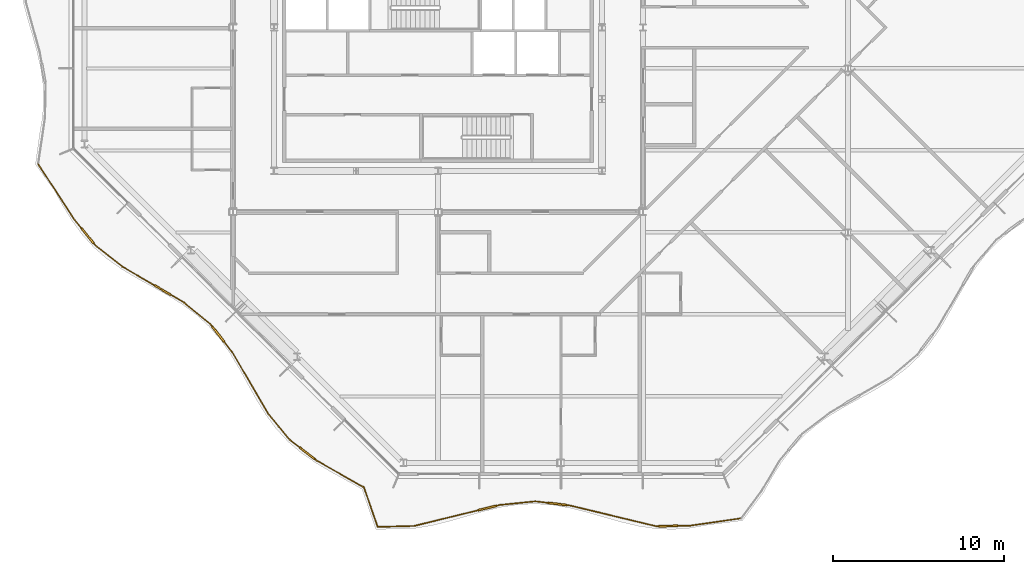
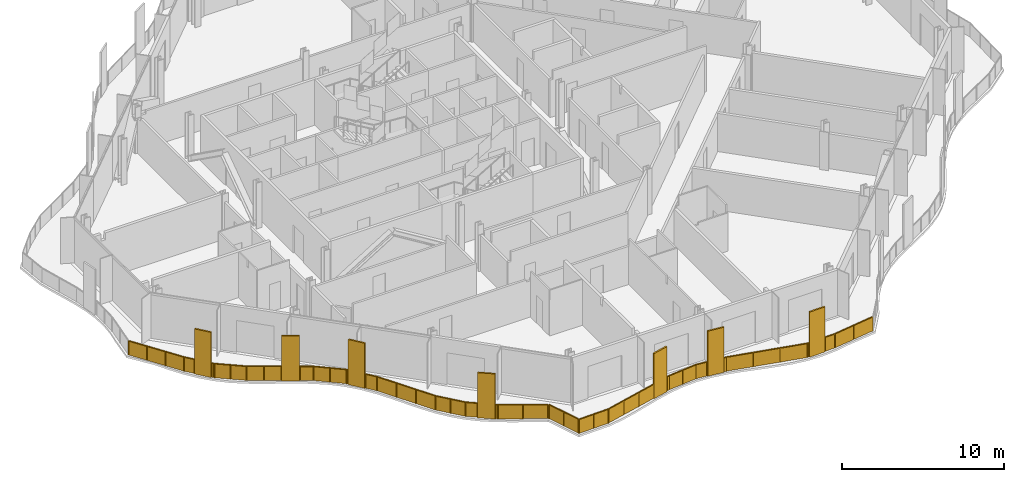
# One storey, part 13 of 17: 3 railings.
"""IFC4 building model written with IfcOpenShell, lengths in metres."""

from ifc_helpers import new_model, si_unit, direction, frame, origin, origin_2d, place, context, subcontext, project, spatial, polyline, rectangle, outline, extrude, material, type_object, element, save


model = new_model("IFC4")

# Units and contexts
model_context = context("Model", 3, precision=1e-05, world=origin(), true_north=direction((0.0, 1.0)))
body_context = subcontext(model_context, "Body", "Model", "MODEL_VIEW")
ifc_project = project(units=[si_unit("LENGTHUNIT", "METRE"), si_unit("AREAUNIT", "SQUARE_METRE"), si_unit("VOLUMEUNIT", "CUBIC_METRE"), si_unit("PLANEANGLEUNIT", "RADIAN"), si_unit("MASSUNIT", "GRAM", prefix="KILO")], contexts=[model_context])

# Site, building, storey
site_placement = place(None, origin())
site = spatial("IfcSite", under=ifc_project, at=site_placement, CompositionType="ELEMENT")
building_placement = place(site_placement, origin())
building = spatial("IfcBuilding", under=site, at=building_placement, Name="Cairn Pilgrim Tower", CompositionType="ELEMENT")
storey_placement = place(building_placement, frame((0.0, 0.0, 228.60009765625)))
storey = spatial("IfcBuildingStorey", under=building, at=storey_placement, Name="L58", CompositionType="ELEMENT", Elevation=228.60009765625)

# Railings
ifc_material_1 = material(Name="Bronze anodised aluminium rail and posts with laminated glass infill", Category="aluminium")
railing_type_1 = type_object("IfcRailingType", Name="BALCONY GUARD 1100", PredefinedType="GUARDRAIL", material=ifc_material_1)
railing_1_placement = place(storey_placement, frame((2.863037109375, -24.535400390625, 0.0)))
element("IfcRailing", 1, at=railing_1_placement, inside=storey, type_object=railing_type_1, Name="Balcony guard BG-9", PredefinedType="GUARDRAIL", context=body_context, shape_type="SweptSolid", body=[
    extrude(rectangle(XDim=0.050048828125, YDim=0.050048828125, at=origin_2d()), frame((0.0, 0.0, 1.0751953125), z_axis=(0.327071911717, -0.944999452151, 0.0), x_axis=(0.944999452151, 0.327071911717, 0.0)), (0.0, 0.0, 1.0), 2.386474609375),
    extrude(rectangle(XDim=0.050048828125, YDim=0.050048828125, at=origin_2d()), origin(), (0.0, 0.0, 1.0), 1.050048828125),
    extrude(rectangle(XDim=0.050048828125, YDim=0.050048828125, at=origin_2d()), frame((0.39013671875, -1.12744140625, 0.0)), (0.0, 0.0, 1.0), 1.050048828125),
    extrude(rectangle(XDim=0.050048828125, YDim=0.050048828125, at=origin_2d()), frame((0.780517578125, -2.255126953125, 0.0)), (0.0, 0.0, 1.0), 1.050048828125),
    extrude(outline(polyline([(0.02490234375, 0.0), (1.168212890625, 0.0), (1.168212890625, 1.050048828125), (0.02490234375, 1.050048828125), (0.02490234375, 0.0)])), frame((0.005615234375, 0.001953125, 0.0), z_axis=(-0.944999452151, -0.327071911717, 0.0), x_axis=(0.327071911717, -0.944999452151, 0.0)), (0.0, 0.0, 1.0), 0.011962890625),
    extrude(outline(polyline([(0.02490234375, 0.0), (1.168212890625, 0.0), (1.168212890625, 1.050048828125), (0.02490234375, 1.050048828125), (0.02490234375, 0.0)])), frame((0.39599609375, -1.12548828125, 0.0), z_axis=(-0.944999452151, -0.327071911717, 0.0), x_axis=(0.327071911717, -0.944999452151, 0.0)), (0.0, 0.0, 1.0), 0.011962890625),
])
ifc_material_2 = material(Name="Bronze anodised aluminium rail, posts and fin screens with laminated glass infill", Category="aluminium")
railing_type_2 = type_object("IfcRailingType", Name="BALCONY GUARD WITH FIN SCREENS", PredefinedType="GUARDRAIL", material=ifc_material_2)
railing_2_placement = place(storey_placement, frame((3.6630859375, -26.84716796875, 0.0)))
element("IfcRailing", 2, at=railing_2_placement, inside=storey, type_object=railing_type_2, Name="Balcony guard BGF-1 with fin screens", PredefinedType="GUARDRAIL", context=body_context, shape_type="SweptSolid", body=[
    extrude(rectangle(XDim=0.050048828125, YDim=0.050048828125, at=origin_2d()), frame((0.0, 0.0, 1.0751953125), z_axis=(0.999666816997, 0.025811915748, 0.0), x_axis=(-0.025811915748, 0.999666816997, 0.0)), (0.0, 0.0, 1.0), 2.128173828125),
    extrude(rectangle(XDim=1.10009765625, YDim=0.110107421875, at=origin_2d()), frame((6.423828125, 1.10498046875, 0.0), z_axis=(0.0, 0.0, 1.0), x_axis=(0.971403341759, 0.237435354613, 0.0)), (0.0, 0.0, 1.0), 3.39990234375),
    extrude(rectangle(XDim=0.050048828125, YDim=0.050048828125, at=origin_2d()), frame((2.12744140625, 0.054931640625, 1.0751953125), z_axis=(0.971403341759, 0.237435354613, 0.0), x_axis=(-0.237435354613, 0.971403341759, 0.0)), (0.0, 0.0, 1.0), 3.872802734375),
    extrude(rectangle(XDim=0.050048828125, YDim=0.050048828125, at=origin_2d()), frame((6.9580078125, 1.235595703125, 1.0751953125), z_axis=(0.971403341759, 0.237435354613, 0.0), x_axis=(-0.237435354613, 0.971403341759, 0.0)), (0.0, 0.0, 1.0), 0.222900390625),
    extrude(rectangle(XDim=0.050048828125, YDim=0.050048828125, at=origin_2d()), frame((7.174560546875, 1.28857421875, 1.0751953125), z_axis=(0.994833164728, 0.101523270029, 0.0), x_axis=(-0.101523270029, 0.994833164728, 0.0)), (0.0, 0.0, 1.0), 2.05859375),
    extrude(rectangle(XDim=1.10009765625, YDim=0.110107421875, at=origin_2d()), frame((10.52685546875, 1.341552734375, 0.0), z_axis=(0.0, 0.0, 1.0), x_axis=(0.992930548641, -0.118696779974, 0.0)), (0.0, 0.0, 1.0), 3.39990234375),
    extrude(rectangle(XDim=0.050048828125, YDim=0.050048828125, at=origin_2d()), frame((9.222412109375, 1.49755859375, 1.0751953125), z_axis=(0.992930548641, -0.118696779974, 0.0), x_axis=(0.118696779974, 0.992930548641, 0.0)), (0.0, 0.0, 1.0), 0.763671875),
    extrude(rectangle(XDim=0.050048828125, YDim=0.050048828125, at=origin_2d()), frame((11.072998046875, 1.2763671875, 1.0751953125), z_axis=(0.992930548641, -0.118696779974, 0.0), x_axis=(0.118696779974, 0.992930548641, 0.0)), (0.0, 0.0, 1.0), 0.197265625),
    extrude(rectangle(XDim=0.050048828125, YDim=0.050048828125, at=origin_2d()), frame((11.268798828125, 1.2529296875, 1.0751953125), z_axis=(0.972183556205, -0.234220266083, 0.0), x_axis=(0.234220266083, 0.972183556205, 0.0)), (0.0, 0.0, 1.0), 5.186767578125),
    extrude(rectangle(XDim=1.10009765625, YDim=0.110107421875, at=origin_2d()), frame((17.010986328125, 0.05126953125, 0.0), z_axis=(0.0, 0.0, 1.0), x_axis=(0.999819686116, 0.018989345834, 0.0)), (0.0, 0.0, 1.0), 3.39990234375),
    extrude(rectangle(XDim=0.050048828125, YDim=0.050048828125, at=origin_2d()), frame((16.311279296875, 0.0380859375, 1.0751953125), z_axis=(0.999819686116, 0.018989345834, 0.0), x_axis=(-0.018989345834, 0.999819686116, 0.0)), (0.0, 0.0, 1.0), 0.14990234375),
    extrude(rectangle(XDim=0.050048828125, YDim=0.050048828125, at=origin_2d()), frame((17.560791015625, 0.061767578125, 1.0751953125), z_axis=(0.999819686116, 0.018989345834, 0.0), x_axis=(-0.018989345834, 0.999819686116, 0.0)), (0.0, 0.0, 1.0), 0.742919921875),
    extrude(rectangle(XDim=0.050048828125, YDim=0.050048828125, at=origin_2d()), frame((18.3037109375, 0.075927734375, 1.0751953125), z_axis=(0.989774897626, 0.142638185732, 0.0), x_axis=(-0.142638185732, 0.989774897626, 0.0)), (0.0, 0.0, 1.0), 2.94921875),
    extrude(rectangle(XDim=0.050048828125, YDim=0.050048828125, at=origin_2d()), origin(), (0.0, 0.0, 1.0), 1.050048828125),
    extrude(rectangle(XDim=0.050048828125, YDim=0.050048828125, at=origin_2d()), frame((1.063720703125, 0.02734375, 0.0)), (0.0, 0.0, 1.0), 1.050048828125),
    extrude(rectangle(XDim=0.050048828125, YDim=0.050048828125, at=origin_2d()), frame((2.12744140625, 0.054931640625, 0.0)), (0.0, 0.0, 1.0), 1.050048828125),
    extrude(rectangle(XDim=0.050048828125, YDim=0.050048828125, at=origin_2d()), frame((3.373291015625, 0.359375, 0.0)), (0.0, 0.0, 1.0), 1.050048828125),
    extrude(rectangle(XDim=0.050048828125, YDim=0.050048828125, at=origin_2d()), frame((4.619140625, 0.6640625, 0.0)), (0.0, 0.0, 1.0), 1.050048828125),
    extrude(rectangle(XDim=0.050048828125, YDim=0.050048828125, at=origin_2d()), frame((5.865234375, 0.968505859375, 0.0)), (0.0, 0.0, 1.0), 1.050048828125),
    extrude(rectangle(XDim=0.050048828125, YDim=0.050048828125, at=origin_2d()), frame((6.982177734375, 1.24169921875, 0.0)), (0.0, 0.0, 1.0), 1.050048828125),
    extrude(rectangle(XDim=0.050048828125, YDim=0.050048828125, at=origin_2d()), frame((7.174560546875, 1.28857421875, 0.0)), (0.0, 0.0, 1.0), 1.050048828125),
    extrude(rectangle(XDim=0.050048828125, YDim=0.050048828125, at=origin_2d()), frame((8.198486328125, 1.39306640625, 0.0)), (0.0, 0.0, 1.0), 1.050048828125),
    extrude(rectangle(XDim=0.050048828125, YDim=0.050048828125, at=origin_2d()), frame((9.222412109375, 1.49755859375, 0.0)), (0.0, 0.0, 1.0), 1.050048828125),
    extrude(rectangle(XDim=0.050048828125, YDim=0.050048828125, at=origin_2d()), frame((9.955810546875, 1.409912109375, 0.0)), (0.0, 0.0, 1.0), 1.050048828125),
    extrude(rectangle(XDim=0.050048828125, YDim=0.050048828125, at=origin_2d()), frame((11.097900390625, 1.2734375, 0.0)), (0.0, 0.0, 1.0), 1.050048828125),
    extrude(rectangle(XDim=0.050048828125, YDim=0.050048828125, at=origin_2d()), frame((11.268798828125, 1.2529296875, 0.0)), (0.0, 0.0, 1.0), 1.050048828125),
    extrude(rectangle(XDim=0.050048828125, YDim=0.050048828125, at=origin_2d()), frame((12.94970703125, 0.847900390625, 0.0)), (0.0, 0.0, 1.0), 1.050048828125),
    extrude(rectangle(XDim=0.050048828125, YDim=0.050048828125, at=origin_2d()), frame((14.63037109375, 0.443115234375, 0.0)), (0.0, 0.0, 1.0), 1.050048828125),
    extrude(rectangle(XDim=0.050048828125, YDim=0.050048828125, at=origin_2d()), frame((16.311279296875, 0.0380859375, 0.0)), (0.0, 0.0, 1.0), 1.050048828125),
    extrude(rectangle(XDim=0.050048828125, YDim=0.050048828125, at=origin_2d()), frame((16.43603515625, 0.04052734375, 0.0)), (0.0, 0.0, 1.0), 1.050048828125),
    extrude(rectangle(XDim=0.050048828125, YDim=0.050048828125, at=origin_2d()), frame((17.5859375, 0.062255859375, 0.0)), (0.0, 0.0, 1.0), 1.050048828125),
    extrude(rectangle(XDim=0.050048828125, YDim=0.050048828125, at=origin_2d()), frame((18.3037109375, 0.075927734375, 0.0)), (0.0, 0.0, 1.0), 1.050048828125),
    extrude(rectangle(XDim=0.050048828125, YDim=0.050048828125, at=origin_2d()), frame((19.76318359375, 0.2861328125, 0.0)), (0.0, 0.0, 1.0), 1.050048828125),
    extrude(rectangle(XDim=0.050048828125, YDim=0.050048828125, at=origin_2d()), frame((21.22265625, 0.49658203125, 0.0)), (0.0, 0.0, 1.0), 1.050048828125),
    extrude(outline(polyline([(0.02490234375, 0.0), (1.0390625, 0.0), (1.0390625, 1.050048828125), (0.02490234375, 1.050048828125), (0.02490234375, 0.0)])), frame((-0.000244140625, 0.005859375, 0.0), z_axis=(0.025811915748, -0.999666816997, 0.0), x_axis=(0.999666816997, 0.025811915748, 0.0)), (0.0, 0.0, 1.0), 0.011962890625),
    extrude(outline(polyline([(0.02490234375, 0.0), (1.0390625, 0.0), (1.0390625, 1.050048828125), (0.02490234375, 1.050048828125), (0.02490234375, 0.0)])), frame((1.0634765625, 0.033447265625, 0.0), z_axis=(0.025811915748, -0.999666816997, 0.0), x_axis=(0.999666816997, 0.025811915748, 0.0)), (0.0, 0.0, 1.0), 0.011962890625),
    extrude(outline(polyline([(0.02490234375, 0.0), (1.257568359375, 0.0), (1.257568359375, 1.050048828125), (0.02490234375, 1.050048828125), (0.02490234375, 0.0)])), frame((2.1259765625, 0.060791015625, 0.0), z_axis=(0.237435354613, -0.971403341759, 0.0), x_axis=(0.971403341759, 0.237435354613, 0.0)), (0.0, 0.0, 1.0), 0.011962890625),
    extrude(outline(polyline([(0.02490234375, 0.0), (1.257568359375, 0.0), (1.257568359375, 1.050048828125), (0.02490234375, 1.050048828125), (0.02490234375, 0.0)])), frame((3.371826171875, 0.365234375, 0.0), z_axis=(0.237435354613, -0.971403341759, 0.0), x_axis=(0.971403341759, 0.237435354613, 0.0)), (0.0, 0.0, 1.0), 0.011962890625),
    extrude(outline(polyline([(0.02490234375, 0.0), (1.257568359375, 0.0), (1.257568359375, 1.050048828125), (0.02490234375, 1.050048828125), (0.02490234375, 0.0)])), frame((4.617919921875, 0.669677734375, 0.0), z_axis=(0.237435354613, -0.971403341759, 0.0), x_axis=(0.971403341759, 0.237435354613, 0.0)), (0.0, 0.0, 1.0), 0.011962890625),
    extrude(outline(polyline([(0.02490234375, 0.0), (0.1728515625, 0.0), (0.1728515625, 1.050048828125), (0.02490234375, 1.050048828125), (0.02490234375, 0.0)])), frame((6.98095703125, 1.247314453125, 0.0), z_axis=(0.237435354613, -0.971403341759, 0.0), x_axis=(0.971403341759, 0.237435354613, 0.0)), (0.0, 0.0, 1.0), 0.011962890625),
    extrude(outline(polyline([(0.02490234375, 0.0), (1.004150390625, 0.0), (1.004150390625, 1.050048828125), (0.02490234375, 1.050048828125), (0.02490234375, 0.0)])), frame((7.174072265625, 1.29443359375, 0.0), z_axis=(0.101523270029, -0.994833164728, 0.0), x_axis=(0.994833164728, 0.101523270029, 0.0)), (0.0, 0.0, 1.0), 0.011962890625),
    extrude(outline(polyline([(0.02490234375, 0.0), (1.004150390625, 0.0), (1.004150390625, 1.050048828125), (0.02490234375, 1.050048828125), (0.02490234375, 0.0)])), frame((8.197998046875, 1.39892578125, 0.0), z_axis=(0.101523270029, -0.994833164728, 0.0), x_axis=(0.994833164728, 0.101523270029, 0.0)), (0.0, 0.0, 1.0), 0.011962890625),
    extrude(outline(polyline([(0.02490234375, 0.0), (0.713623046875, 0.0), (0.713623046875, 1.050048828125), (0.02490234375, 1.050048828125), (0.02490234375, 0.0)])), frame((9.22314453125, 1.50341796875, 0.0), z_axis=(-0.118696779974, -0.992930548641, 0.0), x_axis=(0.992930548641, -0.118696779974, 0.0)), (0.0, 0.0, 1.0), 0.011962890625),
    extrude(outline(polyline([(0.02490234375, 0.0), (0.147216796875, 0.0), (0.147216796875, 1.050048828125), (0.02490234375, 1.050048828125), (0.02490234375, 0.0)])), frame((11.0986328125, 1.279296875, 0.0), z_axis=(-0.118696779974, -0.992930548641, 0.0), x_axis=(0.992930548641, -0.118696779974, 0.0)), (0.0, 0.0, 1.0), 0.011962890625),
    extrude(outline(polyline([(0.02490234375, 0.0), (1.703857421875, 0.0), (1.703857421875, 1.050048828125), (0.02490234375, 1.050048828125), (0.02490234375, 0.0)])), frame((11.270263671875, 1.2587890625, 0.0), z_axis=(-0.234220266083, -0.972183556205, 0.0), x_axis=(0.972183556205, -0.234220266083, 0.0)), (0.0, 0.0, 1.0), 0.011962890625),
    extrude(outline(polyline([(0.02490234375, 0.0), (1.703857421875, 0.0), (1.703857421875, 1.050048828125), (0.02490234375, 1.050048828125), (0.02490234375, 0.0)])), frame((12.950927734375, 0.853759765625, 0.0), z_axis=(-0.234220266083, -0.972183556205, 0.0), x_axis=(0.972183556205, -0.234220266083, 0.0)), (0.0, 0.0, 1.0), 0.011962890625),
    extrude(outline(polyline([(0.02490234375, 0.0), (1.703857421875, 0.0), (1.703857421875, 1.050048828125), (0.02490234375, 1.050048828125), (0.02490234375, 0.0)])), frame((14.6318359375, 0.44873046875, 0.0), z_axis=(-0.234220266083, -0.972183556205, 0.0), x_axis=(0.972183556205, -0.234220266083, 0.0)), (0.0, 0.0, 1.0), 0.011962890625),
    extrude(outline(polyline([(0.02490234375, 0.0), (0.099853515625, 0.0), (0.099853515625, 1.050048828125), (0.02490234375, 1.050048828125), (0.02490234375, 0.0)])), frame((16.311279296875, 0.0439453125, 0.0), z_axis=(0.018989345834, -0.999819686116, 0.0), x_axis=(0.999819686116, 0.018989345834, 0.0)), (0.0, 0.0, 1.0), 0.011962890625),
    extrude(outline(polyline([(0.02490234375, 0.0), (0.69287109375, 0.0), (0.69287109375, 1.050048828125), (0.02490234375, 1.050048828125), (0.02490234375, 0.0)])), frame((17.585693359375, 0.068359375, 0.0), z_axis=(0.018989345834, -0.999819686116, 0.0), x_axis=(0.999819686116, 0.018989345834, 0.0)), (0.0, 0.0, 1.0), 0.011962890625),
    extrude(outline(polyline([(0.02490234375, 0.0), (1.449462890625, 0.0), (1.449462890625, 1.050048828125), (0.02490234375, 1.050048828125), (0.02490234375, 0.0)])), frame((18.302978515625, 0.081787109375, 0.0), z_axis=(0.142638185732, -0.989774897626, 0.0), x_axis=(0.989774897626, 0.142638185732, 0.0)), (0.0, 0.0, 1.0), 0.011962890625),
    extrude(outline(polyline([(0.02490234375, 0.0), (1.449462890625, 0.0), (1.449462890625, 1.050048828125), (0.02490234375, 1.050048828125), (0.02490234375, 0.0)])), frame((19.762451171875, 0.292236328125, 0.0), z_axis=(0.142638185732, -0.989774897626, 0.0), x_axis=(0.989774897626, 0.142638185732, 0.0)), (0.0, 0.0, 1.0), 0.011962890625),
])
railing_3_placement = place(storey_placement, frame((-16.222412109375, -5.585693359375, 0.0)))
element("IfcRailing", 3, at=railing_3_placement, inside=storey, type_object=railing_type_2, Name="Balcony guard BGF-8 with fin screens", PredefinedType="GUARDRAIL", context=body_context, shape_type="SweptSolid", body=[
    extrude(rectangle(XDim=0.050048828125, YDim=0.050048828125, at=origin_2d()), frame((0.0, 0.0, 1.0751953125), z_axis=(0.544376488837, -0.838841009013, 0.0), x_axis=(0.838841009013, 0.544376488837, 0.0)), (0.0, 0.0, 1.0), 3.85791015625),
    extrude(rectangle(XDim=1.10009765625, YDim=0.110107421875, at=origin_2d()), frame((2.893310546875, -4.2080078125, 0.0), z_axis=(0.0, 0.0, 1.0), x_axis=(0.632298630268, -0.774724752516, 0.0)), (0.0, 0.0, 1.0), 3.39990234375),
    extrude(rectangle(XDim=0.050048828125, YDim=0.050048828125, at=origin_2d()), frame((2.10009765625, -3.236083984375, 1.0751953125), z_axis=(0.632298630268, -0.774724752516, 0.0), x_axis=(0.774724752516, 0.632298630268, 0.0)), (0.0, 0.0, 1.0), 0.70458984375),
    extrude(rectangle(XDim=0.050048828125, YDim=0.050048828125, at=origin_2d()), frame((3.240966796875, -4.634033203125, 1.0751953125), z_axis=(0.632298630268, -0.774724752516, 0.0), x_axis=(0.774724752516, 0.632298630268, 0.0)), (0.0, 0.0, 1.0), 0.1923828125),
    extrude(rectangle(XDim=0.050048828125, YDim=0.050048828125, at=origin_2d()), frame((3.36279296875, -4.783203125, 1.0751953125), z_axis=(0.785873030699, -0.618387887673, 0.0), x_axis=(0.618387887673, 0.785873030699, 0.0)), (0.0, 0.0, 1.0), 1.99853515625),
    extrude(rectangle(XDim=1.10009765625, YDim=0.110107421875, at=origin_2d()), frame((7.299560546875, -7.39501953125, 0.0), z_axis=(0.0, 0.0, 1.0), x_axis=(0.864475774736, -0.50267448204, 0.0)), (0.0, 0.0, 1.0), 3.39990234375),
    extrude(rectangle(XDim=0.050048828125, YDim=0.050048828125, at=origin_2d()), frame((4.933349609375, -6.01904296875, 1.0751953125), z_axis=(0.864475774736, -0.50267448204, 0.0), x_axis=(0.50267448204, 0.864475774736, 0.0)), (0.0, 0.0, 1.0), 2.18701171875),
    extrude(rectangle(XDim=0.050048828125, YDim=0.050048828125, at=origin_2d()), frame((7.77490234375, -7.67138671875, 1.0751953125), z_axis=(0.864475774736, -0.50267448204, 0.0), x_axis=(0.50267448204, 0.864475774736, 0.0)), (0.0, 0.0, 1.0), 0.875732421875),
    extrude(rectangle(XDim=0.050048828125, YDim=0.050048828125, at=origin_2d()), frame((8.531982421875, -8.111572265625, 1.0751953125), z_axis=(0.77174450236, -0.635932718987, 0.0), x_axis=(0.635932718987, 0.77174450236, 0.0)), (0.0, 0.0, 1.0), 2.04931640625),
    extrude(rectangle(XDim=1.10009765625, YDim=0.110107421875, at=origin_2d()), frame((10.5439453125, -9.967041015625, 0.0), z_axis=(0.0, 0.0, 1.0), x_axis=(0.614771576863, -0.78870521, 0.0)), (0.0, 0.0, 1.0), 3.39990234375),
    extrude(rectangle(XDim=0.050048828125, YDim=0.050048828125, at=origin_2d()), frame((10.113525390625, -9.414794921875, 1.0751953125), z_axis=(0.614771576863, -0.78870521, 0.0), x_axis=(0.78870521, 0.614771576863, 0.0)), (0.0, 0.0, 1.0), 0.150146484375),
    extrude(rectangle(XDim=0.050048828125, YDim=0.050048828125, at=origin_2d()), frame((10.882080078125, -10.40087890625, 1.0751953125), z_axis=(0.614771576863, -0.78870521, 0.0), x_axis=(0.78870521, 0.614771576863, 0.0)), (0.0, 0.0, 1.0), 0.803466796875),
    extrude(rectangle(XDim=0.050048828125, YDim=0.050048828125, at=origin_2d()), frame((11.3759765625, -11.034423828125, 1.0751953125), z_axis=(0.502888793537, -0.864351121556, 0.0), x_axis=(0.864351121556, 0.502888793537, 0.0)), (0.0, 0.0, 1.0), 4.15869140625),
    extrude(rectangle(XDim=0.050048828125, YDim=0.050048828125, at=origin_2d()), frame((13.46728515625, -14.62890625, 1.0751953125), z_axis=(0.639641344429, -0.768673500582, 0.0), x_axis=(0.768673500582, 0.639641344429, 0.0)), (0.0, 0.0, 1.0), 1.990478515625),
    extrude(rectangle(XDim=1.10009765625, YDim=0.110107421875, at=origin_2d()), frame((15.77001953125, -16.9541015625, 0.0), z_axis=(0.0, 0.0, 1.0), x_axis=(0.791456721316, -0.611225210773, 0.0)), (0.0, 0.0, 1.0), 3.39990234375),
    extrude(rectangle(XDim=0.050048828125, YDim=0.050048828125, at=origin_2d()), frame((14.740478515625, -16.158935546875, 1.0751953125), z_axis=(0.791456721316, -0.611225210773, 0.0), x_axis=(0.611225210773, 0.791456721316, 0.0)), (0.0, 0.0, 1.0), 0.750732421875),
    extrude(rectangle(XDim=0.050048828125, YDim=0.050048828125, at=origin_2d()), frame((16.205322265625, -17.290283203125, 1.0751953125), z_axis=(0.791456721316, -0.611225210773, 0.0), x_axis=(0.611225210773, 0.791456721316, 0.0)), (0.0, 0.0, 1.0), 0.14990234375),
    extrude(rectangle(XDim=0.050048828125, YDim=0.050048828125, at=origin_2d()), frame((16.323974609375, -17.3818359375, 1.0751953125), z_axis=(0.869594982005, -0.493765700785, 0.0), x_axis=(0.493765700785, 0.869594982005, 0.0)), (0.0, 0.0, 1.0), 3.115478515625),
    extrude(rectangle(XDim=0.050048828125, YDim=0.050048828125, at=origin_2d()), origin(), (0.0, 0.0, 1.0), 1.050048828125),
    extrude(rectangle(XDim=0.050048828125, YDim=0.050048828125, at=origin_2d()), frame((0.699951171875, -1.07861328125, 0.0)), (0.0, 0.0, 1.0), 1.050048828125),
    extrude(rectangle(XDim=0.050048828125, YDim=0.050048828125, at=origin_2d()), frame((1.400146484375, -2.157470703125, 0.0)), (0.0, 0.0, 1.0), 1.050048828125),
    extrude(rectangle(XDim=0.050048828125, YDim=0.050048828125, at=origin_2d()), frame((2.10009765625, -3.236083984375, 0.0)), (0.0, 0.0, 1.0), 1.050048828125),
    extrude(rectangle(XDim=0.050048828125, YDim=0.050048828125, at=origin_2d()), frame((2.52978515625, -3.762451171875, 0.0)), (0.0, 0.0, 1.0), 1.050048828125),
    extrude(rectangle(XDim=0.050048828125, YDim=0.050048828125, at=origin_2d()), frame((3.2568359375, -4.653564453125, 0.0)), (0.0, 0.0, 1.0), 1.050048828125),
    extrude(rectangle(XDim=0.050048828125, YDim=0.050048828125, at=origin_2d()), frame((3.36279296875, -4.783203125, 0.0)), (0.0, 0.0, 1.0), 1.050048828125),
    extrude(rectangle(XDim=0.050048828125, YDim=0.050048828125, at=origin_2d()), frame((4.14794921875, -5.401123046875, 0.0)), (0.0, 0.0, 1.0), 1.050048828125),
    extrude(rectangle(XDim=0.050048828125, YDim=0.050048828125, at=origin_2d()), frame((4.933349609375, -6.01904296875, 0.0)), (0.0, 0.0, 1.0), 1.050048828125),
    extrude(rectangle(XDim=0.050048828125, YDim=0.050048828125, at=origin_2d()), frame((5.867919921875, -6.5625, 0.0)), (0.0, 0.0, 1.0), 1.050048828125),
    extrude(rectangle(XDim=0.050048828125, YDim=0.050048828125, at=origin_2d()), frame((6.802490234375, -7.10595703125, 0.0)), (0.0, 0.0, 1.0), 1.050048828125),
    extrude(rectangle(XDim=0.050048828125, YDim=0.050048828125, at=origin_2d()), frame((7.796630859375, -7.68408203125, 0.0)), (0.0, 0.0, 1.0), 1.050048828125),
    extrude(rectangle(XDim=0.050048828125, YDim=0.050048828125, at=origin_2d()), frame((8.531982421875, -8.111572265625, 0.0)), (0.0, 0.0, 1.0), 1.050048828125),
    extrude(rectangle(XDim=0.050048828125, YDim=0.050048828125, at=origin_2d()), frame((9.32275390625, -8.76318359375, 0.0)), (0.0, 0.0, 1.0), 1.050048828125),
    extrude(rectangle(XDim=0.050048828125, YDim=0.050048828125, at=origin_2d()), frame((10.113525390625, -9.414794921875, 0.0)), (0.0, 0.0, 1.0), 1.050048828125),
    extrude(rectangle(XDim=0.050048828125, YDim=0.050048828125, at=origin_2d()), frame((10.1904296875, -9.513427734375, 0.0)), (0.0, 0.0, 1.0), 1.050048828125),
    extrude(rectangle(XDim=0.050048828125, YDim=0.050048828125, at=origin_2d()), frame((10.8974609375, -10.42041015625, 0.0)), (0.0, 0.0, 1.0), 1.050048828125),
    extrude(rectangle(XDim=0.050048828125, YDim=0.050048828125, at=origin_2d()), frame((11.3759765625, -11.034423828125, 0.0)), (0.0, 0.0, 1.0), 1.050048828125),
    extrude(rectangle(XDim=0.050048828125, YDim=0.050048828125, at=origin_2d()), frame((12.072998046875, -12.232666015625, 0.0)), (0.0, 0.0, 1.0), 1.050048828125),
    extrude(rectangle(XDim=0.050048828125, YDim=0.050048828125, at=origin_2d()), frame((12.770263671875, -13.4306640625, 0.0)), (0.0, 0.0, 1.0), 1.050048828125),
    extrude(rectangle(XDim=0.050048828125, YDim=0.050048828125, at=origin_2d()), frame((13.46728515625, -14.62890625, 0.0)), (0.0, 0.0, 1.0), 1.050048828125),
    extrude(rectangle(XDim=0.050048828125, YDim=0.050048828125, at=origin_2d()), frame((14.10400390625, -15.39404296875, 0.0)), (0.0, 0.0, 1.0), 1.050048828125),
    extrude(rectangle(XDim=0.050048828125, YDim=0.050048828125, at=origin_2d()), frame((14.740478515625, -16.158935546875, 0.0)), (0.0, 0.0, 1.0), 1.050048828125),
    extrude(rectangle(XDim=0.050048828125, YDim=0.050048828125, at=origin_2d()), frame((15.31494140625, -16.6025390625, 0.0)), (0.0, 0.0, 1.0), 1.050048828125),
    extrude(rectangle(XDim=0.050048828125, YDim=0.050048828125, at=origin_2d()), frame((16.22509765625, -17.305419921875, 0.0)), (0.0, 0.0, 1.0), 1.050048828125),
    extrude(rectangle(XDim=0.050048828125, YDim=0.050048828125, at=origin_2d()), frame((16.323974609375, -17.3818359375, 0.0)), (0.0, 0.0, 1.0), 1.050048828125),
    extrude(rectangle(XDim=0.050048828125, YDim=0.050048828125, at=origin_2d()), frame((17.6787109375, -18.15087890625, 0.0)), (0.0, 0.0, 1.0), 1.050048828125),
    extrude(rectangle(XDim=0.050048828125, YDim=0.050048828125, at=origin_2d()), frame((19.033203125, -18.920166015625, 0.0)), (0.0, 0.0, 1.0), 1.050048828125),
    extrude(outline(polyline([(0.02490234375, 0.0), (1.260986328125, 0.0), (1.260986328125, 1.050048828125), (0.02490234375, 1.050048828125), (0.02490234375, 0.0)])), frame((0.005126953125, 0.003173828125, 0.0), z_axis=(-0.838841009013, -0.544376488837, 0.0), x_axis=(0.544376488837, -0.838841009013, 0.0)), (0.0, 0.0, 1.0), 0.011962890625),
    extrude(outline(polyline([(0.02490234375, 0.0), (1.260986328125, 0.0), (1.260986328125, 1.050048828125), (0.02490234375, 1.050048828125), (0.02490234375, 0.0)])), frame((0.705078125, -1.075439453125, 0.0), z_axis=(-0.838841009013, -0.544376488837, 0.0), x_axis=(0.544376488837, -0.838841009013, 0.0)), (0.0, 0.0, 1.0), 0.011962890625),
    extrude(outline(polyline([(0.02490234375, 0.0), (1.260986328125, 0.0), (1.260986328125, 1.050048828125), (0.02490234375, 1.050048828125), (0.02490234375, 0.0)])), frame((1.405029296875, -2.154052734375, 0.0), z_axis=(-0.838841009013, -0.544376488837, 0.0), x_axis=(0.544376488837, -0.838841009013, 0.0)), (0.0, 0.0, 1.0), 0.011962890625),
    extrude(outline(polyline([(0.02490234375, 0.0), (0.654541015625, 0.0), (0.654541015625, 1.050048828125), (0.02490234375, 1.050048828125), (0.02490234375, 0.0)])), frame((2.104736328125, -3.232421875, 0.0), z_axis=(-0.774724752516, -0.632298630268, 0.0), x_axis=(0.632298630268, -0.774724752516, 0.0)), (0.0, 0.0, 1.0), 0.011962890625),
    extrude(outline(polyline([(0.02490234375, 0.0), (0.142333984375, 0.0), (0.142333984375, 1.050048828125), (0.02490234375, 1.050048828125), (0.02490234375, 0.0)])), frame((3.261474609375, -4.649658203125, 0.0), z_axis=(-0.774724752516, -0.632298630268, 0.0), x_axis=(0.632298630268, -0.774724752516, 0.0)), (0.0, 0.0, 1.0), 0.011962890625),
    extrude(outline(polyline([(0.02490234375, 0.0), (0.97412109375, 0.0), (0.97412109375, 1.050048828125), (0.02490234375, 1.050048828125), (0.02490234375, 0.0)])), frame((3.366455078125, -4.778564453125, 0.0), z_axis=(-0.618387887673, -0.785873030699, 0.0), x_axis=(0.785873030699, -0.618387887673, 0.0)), (0.0, 0.0, 1.0), 0.011962890625),
    extrude(outline(polyline([(0.02490234375, 0.0), (0.97412109375, 0.0), (0.97412109375, 1.050048828125), (0.02490234375, 1.050048828125), (0.02490234375, 0.0)])), frame((4.15185546875, -5.396484375, 0.0), z_axis=(-0.618387887673, -0.785873030699, 0.0), x_axis=(0.785873030699, -0.618387887673, 0.0)), (0.0, 0.0, 1.0), 0.011962890625),
    extrude(outline(polyline([(0.02490234375, 0.0), (1.055908203125, 0.0), (1.055908203125, 1.050048828125), (0.02490234375, 1.050048828125), (0.02490234375, 0.0)])), frame((4.936279296875, -6.013916015625, 0.0), z_axis=(-0.50267448204, -0.864475774736, 0.0), x_axis=(0.864475774736, -0.50267448204, 0.0)), (0.0, 0.0, 1.0), 0.011962890625),
    extrude(outline(polyline([(0.02490234375, 0.0), (1.055908203125, 0.0), (1.055908203125, 1.050048828125), (0.02490234375, 1.050048828125), (0.02490234375, 0.0)])), frame((5.870849609375, -6.557373046875, 0.0), z_axis=(-0.50267448204, -0.864475774736, 0.0), x_axis=(0.864475774736, -0.50267448204, 0.0)), (0.0, 0.0, 1.0), 0.011962890625),
    extrude(outline(polyline([(0.02490234375, 0.0), (0.82568359375, 0.0), (0.82568359375, 1.050048828125), (0.02490234375, 1.050048828125), (0.02490234375, 0.0)])), frame((7.799560546875, -7.6787109375, 0.0), z_axis=(-0.50267448204, -0.864475774736, 0.0), x_axis=(0.864475774736, -0.50267448204, 0.0)), (0.0, 0.0, 1.0), 0.011962890625),
    extrude(outline(polyline([(0.02490234375, 0.0), (0.99951171875, 0.0), (0.99951171875, 1.050048828125), (0.02490234375, 1.050048828125), (0.02490234375, 0.0)])), frame((8.535888671875, -8.10693359375, 0.0), z_axis=(-0.635932718987, -0.77174450236, 0.0), x_axis=(0.77174450236, -0.635932718987, 0.0)), (0.0, 0.0, 1.0), 0.011962890625),
    extrude(outline(polyline([(0.02490234375, 0.0), (0.99951171875, 0.0), (0.99951171875, 1.050048828125), (0.02490234375, 1.050048828125), (0.02490234375, 0.0)])), frame((9.32666015625, -8.758544921875, 0.0), z_axis=(-0.635932718987, -0.77174450236, 0.0), x_axis=(0.77174450236, -0.635932718987, 0.0)), (0.0, 0.0, 1.0), 0.011962890625),
    extrude(outline(polyline([(0.02490234375, 0.0), (0.10009765625, 0.0), (0.10009765625, 1.050048828125), (0.02490234375, 1.050048828125), (0.02490234375, 0.0)])), frame((10.1181640625, -9.4111328125, 0.0), z_axis=(-0.78870521, -0.614771576863, 0.0), x_axis=(0.614771576863, -0.78870521, 0.0)), (0.0, 0.0, 1.0), 0.011962890625),
    extrude(outline(polyline([(0.02490234375, 0.0), (0.75341796875, 0.0), (0.75341796875, 1.050048828125), (0.02490234375, 1.050048828125), (0.02490234375, 0.0)])), frame((10.902099609375, -10.416748046875, 0.0), z_axis=(-0.78870521, -0.614771576863, 0.0), x_axis=(0.614771576863, -0.78870521, 0.0)), (0.0, 0.0, 1.0), 0.011962890625),
    extrude(outline(polyline([(0.02490234375, 0.0), (1.361083984375, 0.0), (1.361083984375, 1.050048828125), (0.02490234375, 1.050048828125), (0.02490234375, 0.0)])), frame((11.381103515625, -11.031494140625, 0.0), z_axis=(-0.864351121556, -0.502888793537, 0.0), x_axis=(0.502888793537, -0.864351121556, 0.0)), (0.0, 0.0, 1.0), 0.011962890625),
    extrude(outline(polyline([(0.02490234375, 0.0), (1.361083984375, 0.0), (1.361083984375, 1.050048828125), (0.02490234375, 1.050048828125), (0.02490234375, 0.0)])), frame((12.078369140625, -12.2294921875, 0.0), z_axis=(-0.864351121556, -0.502888793537, 0.0), x_axis=(0.502888793537, -0.864351121556, 0.0)), (0.0, 0.0, 1.0), 0.011962890625),
    extrude(outline(polyline([(0.02490234375, 0.0), (1.361083984375, 0.0), (1.361083984375, 1.050048828125), (0.02490234375, 1.050048828125), (0.02490234375, 0.0)])), frame((12.775390625, -13.427734375, 0.0), z_axis=(-0.864351121556, -0.502888793537, 0.0), x_axis=(0.502888793537, -0.864351121556, 0.0)), (0.0, 0.0, 1.0), 0.011962890625),
    extrude(outline(polyline([(0.02490234375, 0.0), (0.97021484375, 0.0), (0.97021484375, 1.050048828125), (0.02490234375, 1.050048828125), (0.02490234375, 0.0)])), frame((13.471923828125, -14.625, 0.0), z_axis=(-0.768673500582, -0.639641344429, 0.0), x_axis=(0.639641344429, -0.768673500582, 0.0)), (0.0, 0.0, 1.0), 0.011962890625),
    extrude(outline(polyline([(0.02490234375, 0.0), (0.97021484375, 0.0), (0.97021484375, 1.050048828125), (0.02490234375, 1.050048828125), (0.02490234375, 0.0)])), frame((14.1083984375, -15.39013671875, 0.0), z_axis=(-0.768673500582, -0.639641344429, 0.0), x_axis=(0.639641344429, -0.768673500582, 0.0)), (0.0, 0.0, 1.0), 0.011962890625),
    extrude(outline(polyline([(0.02490234375, 0.0), (0.70068359375, 0.0), (0.70068359375, 1.050048828125), (0.02490234375, 1.050048828125), (0.02490234375, 0.0)])), frame((14.744140625, -16.154296875, 0.0), z_axis=(-0.611225210773, -0.791456721316, 0.0), x_axis=(0.791456721316, -0.611225210773, 0.0)), (0.0, 0.0, 1.0), 0.011962890625),
    extrude(outline(polyline([(0.02490234375, 0.0), (0.099853515625, 0.0), (0.099853515625, 1.050048828125), (0.02490234375, 1.050048828125), (0.02490234375, 0.0)])), frame((16.228759765625, -17.30078125, 0.0), z_axis=(-0.611225210773, -0.791456721316, 0.0), x_axis=(0.791456721316, -0.611225210773, 0.0)), (0.0, 0.0, 1.0), 0.011962890625),
    extrude(outline(polyline([(0.02490234375, 0.0), (1.53271484375, 0.0), (1.53271484375, 1.050048828125), (0.02490234375, 1.050048828125), (0.02490234375, 0.0)])), frame((16.326904296875, -17.376708984375, 0.0), z_axis=(-0.493765700785, -0.869594982005, 0.0), x_axis=(0.869594982005, -0.493765700785, 0.0)), (0.0, 0.0, 1.0), 0.011962890625),
    extrude(outline(polyline([(0.02490234375, 0.0), (1.53271484375, 0.0), (1.53271484375, 1.050048828125), (0.02490234375, 1.050048828125), (0.02490234375, 0.0)])), frame((17.681640625, -18.145751953125, 0.0), z_axis=(-0.493765700785, -0.869594982005, 0.0), x_axis=(0.869594982005, -0.493765700785, 0.0)), (0.0, 0.0, 1.0), 0.011962890625),
])

save(model, "model.ifc")
